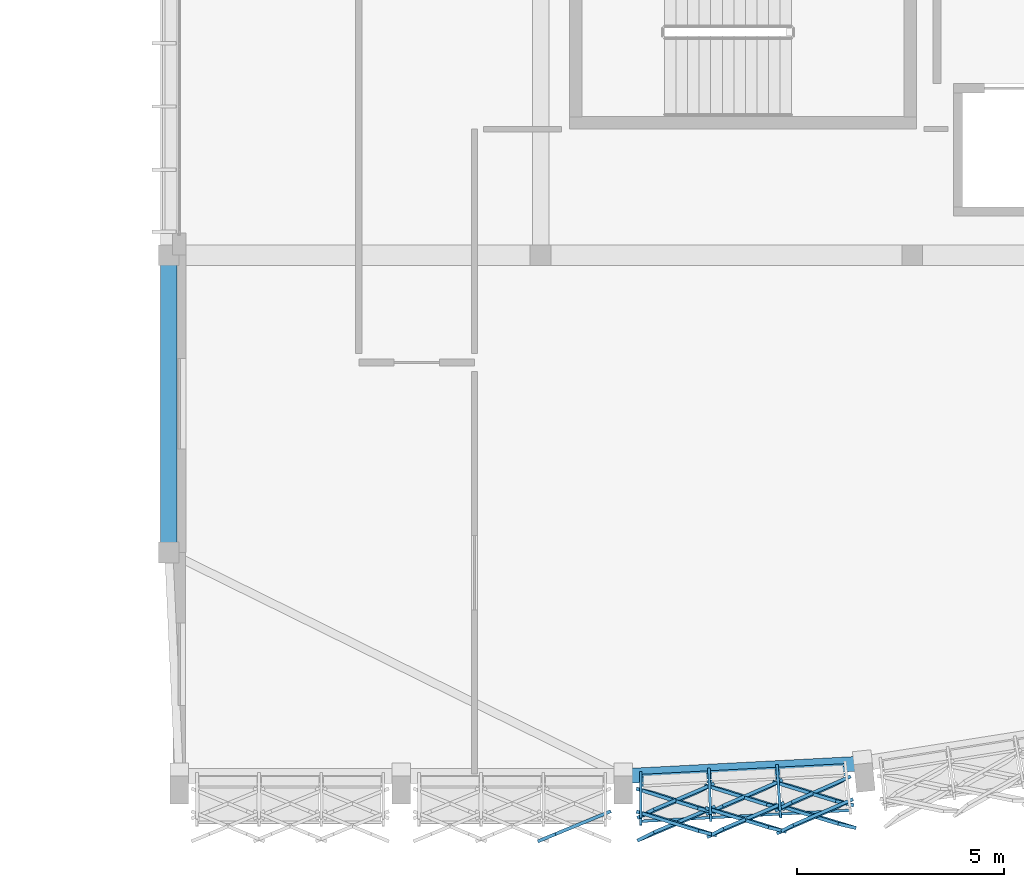
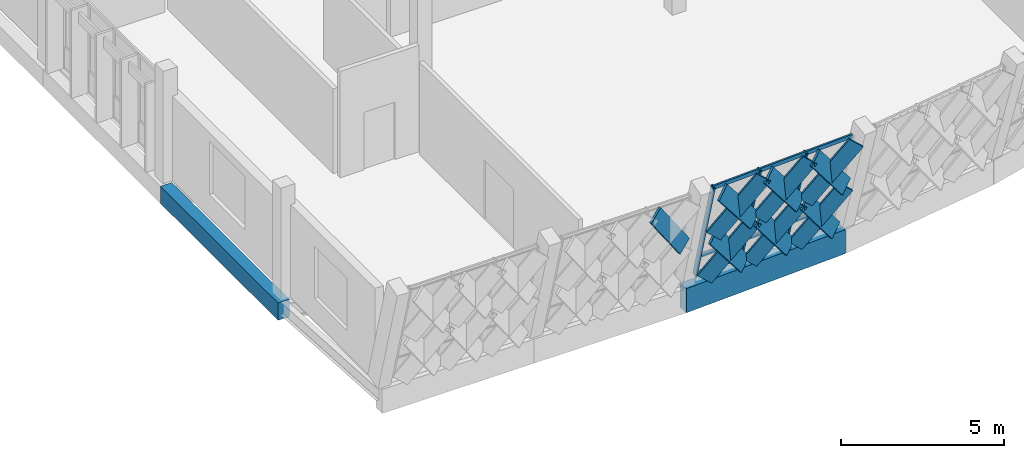
# One storey, part 2 of 24: 19 members, 2 beams, 2 elements without a shape of their own.
"""IFC4 building model written with IfcOpenShell, lengths in metres."""

from ifc_helpers import new_model, si_unit, direction, frame, origin, origin_2d, place, context, subcontext, project, spatial, rectangle, hollow_rectangle, extrude, material, material_profile, profile_set, type_object, element, aggregate, save


model = new_model("IFC4")

# Units and contexts
model_context = context("Model", 3, precision=1e-05, world=origin(), true_north=direction((0.0, 1.0)))
body_context = subcontext(model_context, "Body", "Model", "MODEL_VIEW")
ifc_project = project(units=[si_unit("LENGTHUNIT", "METRE"), si_unit("AREAUNIT", "SQUARE_METRE"), si_unit("VOLUMEUNIT", "CUBIC_METRE"), si_unit("PLANEANGLEUNIT", "RADIAN"), si_unit("MASSUNIT", "GRAM", prefix="KILO")], contexts=[model_context])

# Site, building, storey
site_placement = place(None, origin())
site = spatial("IfcSite", under=ifc_project, at=site_placement, CompositionType="ELEMENT")
building_placement = place(site_placement, origin())
building = spatial("IfcBuilding", under=site, at=building_placement, Name="Chiffa Square Polytechnic", CompositionType="ELEMENT")
storey_placement = place(building_placement, frame((0.0, 0.0, 22.199951171875)))
storey = spatial("IfcBuildingStorey", under=building, at=storey_placement, Name="L05", CompositionType="ELEMENT", Elevation=22.199951171875)

# Beam
ifc_material_1 = material(Name="Concrete C35/45", Category="concrete")
ifc_material_profile_1 = material_profile(ifc_material_1, rectangle(XDim=0.39990234375, YDim=0.64990234375, at=origin_2d()), Name="RC 400x650")
ifc_profile_set_1 = profile_set([ifc_material_profile_1], Name="Concrete C35/45")
beam_type_1 = type_object("IfcBeamType", Name="BM-RC-400X650", PredefinedType="BEAM", material=ifc_profile_set_1)
beam_1_placement = place(storey_placement, frame((112.199951171875, 7.199951171875, -0.5849609375), z_axis=(0.0, 1.0, 0.0), x_axis=(-1.0, 0.0, 0.0)))
element("IfcBeam", 1, at=beam_1_placement, inside=storey, type_object=beam_type_1, Name="Primary floor girder BM-V1-L05-Y-1122-0072", PredefinedType="BEAM", context=body_context, shape_type="SweptSolid", body=[
    extrude(rectangle(XDim=0.39990234375, YDim=0.64990234375, at=origin_2d()), origin(), (0.0, 0.0, 1.0), 7.199951171875),
])

# Curtain wall, members
ifc_material_2 = material(Name="Aluminium EN AW-6060 T66 and glulam shading", Category="wood")
curtain_wall_type_1 = type_object("IfcCurtainWallType", Name="CW-PROW-LEAN-150", PredefinedType="USERDEFINED", material=ifc_material_2)
curtain_wall_1_placement = place(storey_placement, origin())
curtain_wall_1 = element("IfcCurtainWall", 2, at=curtain_wall_1_placement, inside=storey, type_object=curtain_wall_type_1, Name="Outward-leaning diamond-fin prow curtain wall CW-V1-L05-080", ObjectType="CURTAIN WALL", PredefinedType="USERDEFINED")
ifc_material_3 = material(Name="Aluminium EN AW-6060 T66", Category="aluminium")
ifc_material_profile_2 = material_profile(ifc_material_3, hollow_rectangle(XDim=0.06494140625, YDim=0.179931640625, WallThickness=0.00390625, at=origin_2d()), Name="ALU 65x180x4")
ifc_profile_set_2 = profile_set([ifc_material_profile_2], Name="Aluminium EN AW-6060 T66")
member_type_1 = type_object("IfcMemberType", Name="CWM-ALU-75X180", PredefinedType="MULLION", material=ifc_profile_set_2)
member_1_placement = place(storey_placement, frame((123.62890625, 1.806884765625, 0.0), z_axis=(0.0, -0.272225541224, 0.962233472036), x_axis=(1.0, 0.0, 0.0)))
member_1 = element("IfcMember", 3, at=member_1_placement, type_object=member_type_1, Name="Leaning prow mullion CW-V1-L05-080-M00", PredefinedType="MULLION", context=body_context, shape_type="SweptSolid", body=[
    extrude(hollow_rectangle(XDim=0.06494140625, YDim=0.179931640625, WallThickness=0.00390625, at=origin_2d()), origin(), (0.0, 0.0, 1.0), 4.13623046875),
])
member_2_placement = place(storey_placement, frame((125.279052734375, 1.893798828125, 0.0), z_axis=(0.009503589762, -0.271885307091, 0.962282734735), x_axis=(0.999389653944, 0.03493307301, 0.0)))
member_2 = element("IfcMember", 4, at=member_2_placement, type_object=member_type_1, Name="Leaning prow mullion CW-V1-L05-080-M01", PredefinedType="MULLION", context=body_context, shape_type="SweptSolid", body=[
    extrude(hollow_rectangle(XDim=0.06494140625, YDim=0.179931640625, WallThickness=0.00390625, at=origin_2d()), origin(), (0.0, 0.0, 1.0), 4.135986328125),
])
member_3_placement = place(storey_placement, frame((126.928955078125, 1.980224609375, 0.0), z_axis=(0.019066049389, -0.271410820719, 0.962274728005), x_axis=(0.997541708492, 0.070075243985, 0.0)))
member_3 = element("IfcMember", 5, at=member_3_placement, type_object=member_type_1, Name="Leaning prow mullion CW-V1-L05-080-M02", PredefinedType="MULLION", context=body_context, shape_type="SweptSolid", body=[
    extrude(hollow_rectangle(XDim=0.06494140625, YDim=0.179931640625, WallThickness=0.00390625, at=origin_2d()), origin(), (0.0, 0.0, 1.0), 4.135986328125),
])

# Curtain wall, member
curtain_wall_type_2 = type_object("IfcCurtainWallType", Name="CW-PROW-LEAN-300", PredefinedType="USERDEFINED", material=ifc_material_2)
curtain_wall_2_placement = place(storey_placement, origin())
curtain_wall_2 = element("IfcCurtainWall", 6, at=curtain_wall_2_placement, inside=storey, type_object=curtain_wall_type_2, Name="Outward-leaning diamond-fin prow curtain wall CW-V1-L05-079", ObjectType="CURTAIN WALL", PredefinedType="USERDEFINED")
ifc_material_4 = material(Name="Glulam GL28h", Category="wood")
ifc_material_profile_3 = material_profile(ifc_material_4, rectangle(XDim=0.080078125, YDim=0.580078125, at=origin_2d()), Name="GL28h 80x580")
ifc_profile_set_3 = profile_set([ifc_material_profile_3], Name="Glulam GL28h")
member_type_2 = type_object("IfcMemberType", Name="CWM-GL-80X580", PredefinedType="MULLION", material=ifc_profile_set_3)
member_4_placement = place(storey_placement, frame((122.68701171875, 0.846923828125, 1.989990234375), z_axis=(-0.551242030396, -0.22763230608, 0.802692816184), x_axis=(0.381681917309, -0.924293737942, 0.0)))
member_4 = element("IfcMember", 7, at=member_4_placement, type_object=member_type_2, Name="Diamond glulam fin CW-V1-L05-079-DF06B", PredefinedType="MULLION", context=body_context, shape_type="SweptSolid", body=[
    extrude(rectangle(XDim=0.080078125, YDim=0.580078125, at=origin_2d()), origin(), (0.0, 0.0, 1.0), 2.42919921875),
])
aggregate(curtain_wall_2, [member_4])

# Member
member_5_placement = place(storey_placement, frame((123.739013671875, 1.426025390625, 0.0400390625), z_axis=(0.595374625313, -0.189823924209, 0.780702205282), x_axis=(0.264420912496, 0.96385267026, 0.032704908931)))
member_5 = element("IfcMember", 8, at=member_5_placement, type_object=member_type_2, Name="Diamond glulam fin CW-V1-L05-080-DF01A", PredefinedType="MULLION", context=body_context, shape_type="SweptSolid", body=[
    extrude(rectangle(XDim=0.080078125, YDim=0.580078125, at=origin_2d()), origin(), (0.0, 0.0, 1.0), 2.497802734375),
])

member_6_placement = place(storey_placement, frame((125.2080078125, 1.5029296875, 0.0400390625), z_axis=(-0.582431646169, -0.249516700571, 0.773637378671), x_axis=(0.43046802274, -0.901996448116, 0.033161558832)))
member_6 = element("IfcMember", 9, at=member_6_placement, type_object=member_type_2, Name="Diamond glulam fin CW-V1-L05-080-DF01B", PredefinedType="MULLION", context=body_context, shape_type="SweptSolid", body=[
    extrude(rectangle(XDim=0.080078125, YDim=0.580078125, at=origin_2d()), origin(), (0.0, 0.0, 1.0), 2.5205078125),
])

member_7_placement = place(storey_placement, frame((123.739990234375, 0.8740234375, 1.989990234375), z_axis=(0.600057939377, -0.188631352232, 0.777398663715), x_axis=(0.260662643705, 0.964868528101, 0.032919745714)))
member_7 = element("IfcMember", 10, at=member_7_placement, type_object=member_type_2, Name="Diamond glulam fin CW-V1-L05-080-DF02A", PredefinedType="MULLION", context=body_context, shape_type="SweptSolid", body=[
    extrude(rectangle(XDim=0.080078125, YDim=0.580078125, at=origin_2d()), origin(), (0.0, 0.0, 1.0), 2.50830078125),
])

member_8_placement = place(storey_placement, frame((125.22607421875, 0.951904296875, 1.989990234375), z_axis=(-0.586632369485, -0.248587758479, 0.770757153328), x_axis=(0.426775145169, -0.903742829912, 0.033344757435)))
member_8 = element("IfcMember", 11, at=member_8_placement, type_object=member_type_2, Name="Diamond glulam fin CW-V1-L05-080-DF02B", PredefinedType="MULLION", context=body_context, shape_type="SweptSolid", body=[
    extrude(rectangle(XDim=0.080078125, YDim=0.580078125, at=origin_2d()), origin(), (0.0, 0.0, 1.0), 2.530029296875),
])

member_9_placement = place(storey_placement, frame((125.389892578125, 1.512939453125, 0.0400390625), z_axis=(0.600318011472, -0.188493433007, 0.777231311011), x_axis=(0.26034963053, 0.96495266599, 0.032930567583)))
member_9 = element("IfcMember", 12, at=member_9_placement, type_object=member_type_2, Name="Diamond glulam fin CW-V1-L05-080-DF03A", PredefinedType="MULLION", context=body_context, shape_type="SweptSolid", body=[
    extrude(rectangle(XDim=0.080078125, YDim=0.580078125, at=origin_2d()), origin(), (0.0, 0.0, 1.0), 2.5087890625),
])

member_10_placement = place(storey_placement, frame((126.85888671875, 1.590087890625, 0.0400390625), z_axis=(-0.577448507428, -0.250341197913, 0.777098774865), x_axis=(0.434528660116, -0.9000554744, 0.032939133862)))
member_10 = element("IfcMember", 13, at=member_10_placement, type_object=member_type_2, Name="Diamond glulam fin CW-V1-L05-080-DF03B", PredefinedType="MULLION", context=body_context, shape_type="SweptSolid", body=[
    extrude(rectangle(XDim=0.080078125, YDim=0.580078125, at=origin_2d()), origin(), (0.0, 0.0, 1.0), 2.50927734375),
])

member_11_placement = place(storey_placement, frame((125.409912109375, 0.9619140625, 1.989990234375), z_axis=(0.604938148569, -0.187305052248, 0.773929359702), x_axis=(0.256676052434, 0.965929061987, 0.033142892385)))
member_11 = element("IfcMember", 14, at=member_11_placement, type_object=member_type_2, Name="Diamond glulam fin CW-V1-L05-080-DF04A", PredefinedType="MULLION", context=body_context, shape_type="SweptSolid", body=[
    extrude(rectangle(XDim=0.080078125, YDim=0.580078125, at=origin_2d()), origin(), (0.0, 0.0, 1.0), 2.51953125),
])

member_12_placement = place(storey_placement, frame((126.89599609375, 1.0400390625, 1.989990234375), z_axis=(-0.581905189235, -0.249720178628, 0.773967817889), x_axis=(0.431045563828, -0.901721372511, 0.033140432431)))
member_12 = element("IfcMember", 15, at=member_12_placement, type_object=member_type_2, Name="Diamond glulam fin CW-V1-L05-080-DF04B", PredefinedType="MULLION", context=body_context, shape_type="SweptSolid", body=[
    extrude(rectangle(XDim=0.080078125, YDim=0.580078125, at=origin_2d()), origin(), (0.0, 0.0, 1.0), 2.51953125),
])

member_13_placement = place(storey_placement, frame((127.0400390625, 1.59912109375, 0.0400390625), z_axis=(0.605356973159, -0.187321661774, 0.773597783139), x_axis=(0.256527983023, 0.965967668785, 0.033164088837)))
member_13 = element("IfcMember", 16, at=member_13_placement, type_object=member_type_2, Name="Diamond glulam fin CW-V1-L05-080-DF05A", PredefinedType="MULLION", context=body_context, shape_type="SweptSolid", body=[
    extrude(rectangle(XDim=0.080078125, YDim=0.580078125, at=origin_2d()), origin(), (0.0, 0.0, 1.0), 2.5205078125),
])

member_14_placement = place(storey_placement, frame((128.509033203125, 1.677001953125, 0.0400390625), z_axis=(-0.572107793643, -0.251402912224, 0.78069792377), x_axis=(0.439158435746, -0.897814144984, 0.032705188872)))
member_14 = element("IfcMember", 17, at=member_14_placement, type_object=member_type_2, Name="Diamond glulam fin CW-V1-L05-080-DF05B", PredefinedType="MULLION", context=body_context, shape_type="SweptSolid", body=[
    extrude(rectangle(XDim=0.080078125, YDim=0.580078125, at=origin_2d()), origin(), (0.0, 0.0, 1.0), 2.497802734375),
])

member_15_placement = place(storey_placement, frame((127.080078125, 1.049072265625, 1.989990234375), z_axis=(0.609669870754, -0.186180830784, 0.770479945841), x_axis=(0.253098853742, 0.966864999442, 0.033362300398)))
member_15 = element("IfcMember", 18, at=member_15_placement, type_object=member_type_2, Name="Diamond glulam fin CW-V1-L05-080-DF06A", PredefinedType="MULLION", context=body_context, shape_type="SweptSolid", body=[
    extrude(rectangle(XDim=0.080078125, YDim=0.580078125, at=origin_2d()), origin(), (0.0, 0.0, 1.0), 2.53076171875),
])

member_16_placement = place(storey_placement, frame((128.56591796875, 1.126953125, 1.989990234375), z_axis=(-0.576943399478, -0.250362480759, 0.777467003819), x_axis=(0.434861782261, -0.899895444883, 0.032915324806)))
member_16 = element("IfcMember", 19, at=member_16_placement, type_object=member_type_2, Name="Diamond glulam fin CW-V1-L05-080-DF06B", PredefinedType="MULLION", context=body_context, shape_type="SweptSolid", body=[
    extrude(rectangle(XDim=0.080078125, YDim=0.580078125, at=origin_2d()), origin(), (0.0, 0.0, 1.0), 2.508056640625),
])

ifc_material_profile_4 = material_profile(ifc_material_3, hollow_rectangle(XDim=0.06494140625, YDim=0.139892578125, WallThickness=0.00390625, at=origin_2d()), Name="ALU 65x140x4")
ifc_profile_set_4 = profile_set([ifc_material_profile_4], Name="Aluminium EN AW-6060 T66")
member_type_3 = type_object("IfcMemberType", Name="CWT-ALU-75X140", PredefinedType="USERDEFINED", material=ifc_profile_set_4)
member_17_placement = place(storey_placement, frame((123.62890625, 1.795654296875, 0.0400390625), z_axis=(0.99862394378, 0.052442529592, 0.0), x_axis=(-0.052442529592, 0.99862394378, 0.0)))
member_17 = element("IfcMember", 20, at=member_17_placement, type_object=member_type_3, Name="Leaning prow transom CW-V1-L05-080-T01", ObjectType="TRANSOM", PredefinedType="USERDEFINED", context=body_context, shape_type="SweptSolid", body=[
    extrude(hollow_rectangle(XDim=0.06494140625, YDim=0.139892578125, WallThickness=0.00390625, at=origin_2d()), origin(), (0.0, 0.0, 1.0), 4.9580078125),
])

member_18_placement = place(storey_placement, frame((123.62890625, 1.56640625, 0.85009765625), z_axis=(0.998624454332, 0.052432806621, 0.0), x_axis=(-0.052432806621, 0.998624454332, 0.0)))
member_18 = element("IfcMember", 21, at=member_18_placement, type_object=member_type_3, Name="Leaning prow transom CW-V1-L05-080-T02", ObjectType="TRANSOM", PredefinedType="USERDEFINED", context=body_context, shape_type="SweptSolid", body=[
    extrude(hollow_rectangle(XDim=0.06494140625, YDim=0.139892578125, WallThickness=0.00390625, at=origin_2d()), origin(), (0.0, 0.0, 1.0), 4.982177734375),
])

member_19_placement = place(storey_placement, frame((123.62890625, 0.6923828125, 3.93994140625), z_axis=(0.998636243791, 0.052207782814, 0.0), x_axis=(-0.052207782814, 0.998636243791, 0.0)))
member_19 = element("IfcMember", 22, at=member_19_placement, type_object=member_type_3, Name="Leaning prow transom CW-V1-L05-080-T03", ObjectType="TRANSOM", PredefinedType="USERDEFINED", context=body_context, shape_type="SweptSolid", body=[
    extrude(hollow_rectangle(XDim=0.06494140625, YDim=0.139892578125, WallThickness=0.00390625, at=origin_2d()), origin(), (0.0, 0.0, 1.0), 5.07373046875),
])

aggregate(curtain_wall_1, [member_1, member_2, member_3, member_17, member_18, member_19, member_5, member_6, member_7, member_8, member_9, member_10, member_11, member_12, member_13, member_14, member_15, member_16])

# Beam
ifc_material_5 = material(Name="Glulam GL32c", Category="wood")
ifc_material_profile_5 = material_profile(ifc_material_5, rectangle(XDim=0.360107421875, YDim=0.89990234375, at=origin_2d()), Name="GL32c 360x900")
ifc_profile_set_5 = profile_set([ifc_material_profile_5], Name="Glulam GL32c")
beam_type_2 = type_object("IfcBeamType", Name="RB-GL-360X900", PredefinedType="SPANDREL", material=ifc_profile_set_5)
beam_2_placement = place(storey_placement, frame((123.199951171875, 1.784912109375, -0.7099609375), z_axis=(0.998631247801, 0.052303259132, 0.0), x_axis=(-0.052303259132, 0.998631247801, 0.0)))
element("IfcBeam", 23, at=beam_2_placement, inside=storey, type_object=beam_type_2, Name="Prow perimeter edge beam RB-V1-PROW-L05-03", PredefinedType="SPANDREL", context=body_context, shape_type="SweptSolid", body=[
    extrude(rectangle(XDim=0.360107421875, YDim=0.89990234375, at=origin_2d()), origin(), (0.0, 0.0, 1.0), 5.816162109375),
])

save(model, "model.ifc")
